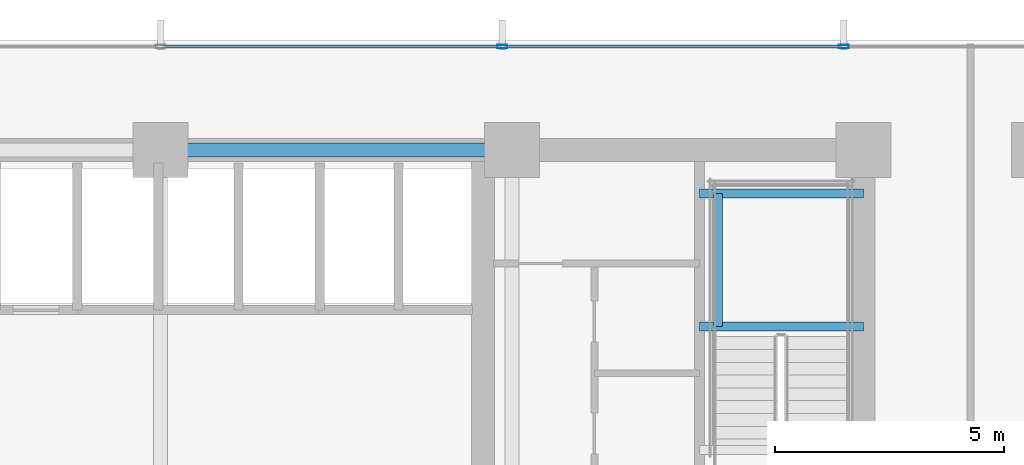
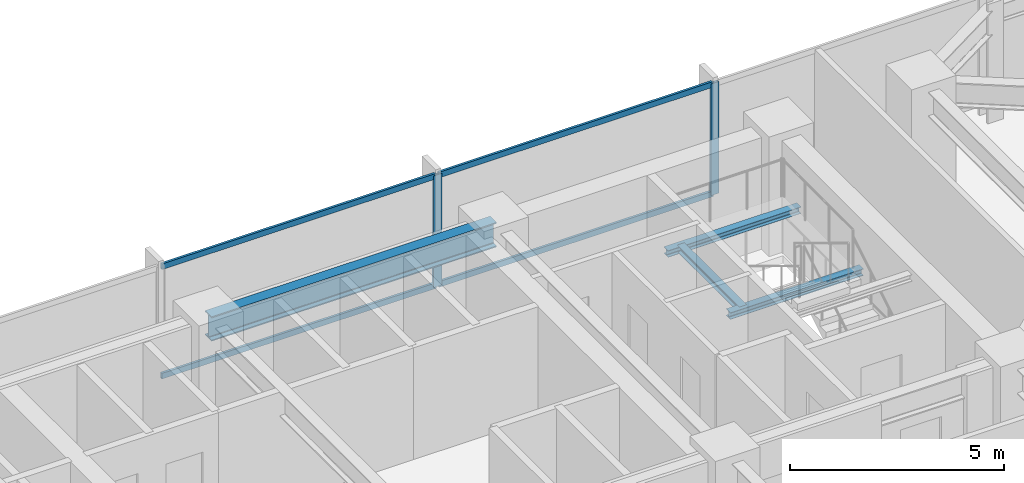
# One storey, part 19 of 33: 6 members, 4 beams, 1 element without a shape of its own.
"""IFC4 building model written with IfcOpenShell, lengths in metres."""

from ifc_helpers import new_model, si_unit, direction, frame, origin, origin_2d, place, context, subcontext, project, spatial, hollow_rectangle, i_section, extrude, material, material_profile, profile_set, type_object, element, aggregate, save


model = new_model("IFC4")

# Units and contexts
model_context = context("Model", 3, precision=1e-05, world=origin(), true_north=direction((0.0, 1.0)))
body_context = subcontext(model_context, "Body", "Model", "MODEL_VIEW")
ifc_project = project(units=[si_unit("LENGTHUNIT", "METRE"), si_unit("AREAUNIT", "SQUARE_METRE"), si_unit("VOLUMEUNIT", "CUBIC_METRE"), si_unit("PLANEANGLEUNIT", "RADIAN"), si_unit("MASSUNIT", "GRAM", prefix="KILO")], contexts=[model_context])

# Site, building, storey
site_placement = place(None, origin())
site = spatial("IfcSite", under=ifc_project, at=site_placement, CompositionType="ELEMENT")
building_placement = place(site_placement, origin())
building = spatial("IfcBuilding", under=site, at=building_placement, Name="Yelkora Congress Tower", CompositionType="ELEMENT")
storey_placement = place(building_placement, frame((0.0, 0.0, 54.199951171875)))
storey = spatial("IfcBuildingStorey", under=building, at=storey_placement, Name="L13", CompositionType="ELEMENT", Elevation=54.199951171875)

# Beams
ifc_material_1 = material(Name="Steel S355J2", Category="steel")
ifc_material_profile_1 = material_profile(ifc_material_1, i_section(OverallWidth=0.300048828125, OverallDepth=0.699951171875, WebThickness=0.01708984375, FlangeThickness=0.031982421875, FilletRadius=0.027099609375, at=origin_2d()), Name="HEB 700")
ifc_profile_set_1 = profile_set([ifc_material_profile_1], Name="Steel S355J2")
beam_type_1 = type_object("IfcBeamType", Name="BM-GIRD-HEB700", PredefinedType="BEAM", material=ifc_profile_set_1)
beam_1_placement = place(storey_placement, frame((38.39990234375, 46.199951171875, 2.830078125), z_axis=(1.0, 0.0, 0.0), x_axis=(0.0, 1.0, 0.0)))
element("IfcBeam", 1, at=beam_1_placement, inside=storey, type_object=beam_type_1, Name="L13 Core North Girder 4", PredefinedType="BEAM", context=body_context, shape_type="SweptSolid", body=[
    extrude(i_section(OverallWidth=0.300048828125, OverallDepth=0.699951171875, WebThickness=0.01708984375, FlangeThickness=0.031982421875, FilletRadius=0.027099609375, at=origin_2d()), origin(), (0.0, 0.0, 1.0), 7.68017578125),
])
ifc_material_profile_2 = material_profile(ifc_material_1, i_section(OverallWidth=0.199951171875, OverallDepth=0.18994140625, WebThickness=0.006591796875, FlangeThickness=0.010009765625, FilletRadius=0.01806640625, at=origin_2d()), Name="HEA 200")
ifc_profile_set_2 = profile_set([ifc_material_profile_2], Name="Steel S355J2")
beam_type_2 = type_object("IfcBeamType", Name="BM-LAND-HEA200", PredefinedType="BEAM", material=ifc_profile_set_2)
for number, where, z_axis, x_axis, name in (
    (2, (50.179931640625, 42.340087890625, 1.384765625), (1.0, 0.0, 0.0), (0.0, 1.0, 0.0), "ST-02 L13 Landing Header Beam 1S"),
    (3, (50.179931640625, 45.25, 1.384765625), (1.0, 0.0, 0.0), (0.0, 1.0, 0.0), "ST-02 L13 Landing Header Beam 1N"),
):
    element("IfcBeam", number, at=place(storey_placement, frame(where, z_axis=z_axis, x_axis=x_axis)), inside=storey, type_object=beam_type_2, Name=name, PredefinedType="BEAM", context=body_context, shape_type="SweptSolid", body=[
        extrude(i_section(OverallWidth=0.199951171875, OverallDepth=0.18994140625, WebThickness=0.006591796875, FlangeThickness=0.010009765625, FilletRadius=0.01806640625, at=origin_2d()), origin(), (0.0, 0.0, 1.0), 3.580078125),
    ])
beam_2_placement = place(storey_placement, frame((50.580078125, 42.340087890625, 1.384765625), z_axis=(0.0, 1.0, 0.0), x_axis=(-1.0, 0.0, 0.0)))
element("IfcBeam", 4, at=beam_2_placement, inside=storey, type_object=beam_type_2, Name="ST-02 L13 Landing Trimmer Beam 1M", PredefinedType="BEAM", context=body_context, shape_type="SweptSolid", body=[
    extrude(i_section(OverallWidth=0.199951171875, OverallDepth=0.18994140625, WebThickness=0.006591796875, FlangeThickness=0.010009765625, FilletRadius=0.01806640625, at=origin_2d()), origin(), (0.0, 0.0, 1.0), 2.909912109375),
])

# Curtain wall, members
ifc_material_2 = material(Name="Anodised aluminium and insulated glass", Category="aluminium")
curtain_wall_type = type_object("IfcCurtainWallType", Name="CW-SYS-B1", PredefinedType="NOTDEFINED", material=ifc_material_2)
curtain_wall_placement = place(storey_placement, origin())
curtain_wall = element("IfcCurtainWall", 5, at=curtain_wall_placement, inside=storey, type_object=curtain_wall_type, Name="L13 Unitised Curtain Wall 10", PredefinedType="NOTDEFINED")
ifc_material_3 = material(Name="Anodised aluminium 6063-T6", Category="aluminium")
ifc_material_profile_3 = material_profile(ifc_material_3, hollow_rectangle(XDim=0.074951171875, YDim=0.219970703125, WallThickness=0.0048828125, at=origin_2d()), Name="ALU 75x220x5")
ifc_profile_set_3 = profile_set([ifc_material_profile_3], Name="Anodised aluminium 6063-T6")
member_type_1 = type_object("IfcMemberType", Name="MEM-ML-B1", PredefinedType="MULLION", material=ifc_profile_set_3)
member_1_placement = place(storey_placement, frame((45.864990234375, 48.4599609375, 0.0), z_axis=(0.0, 0.0, 1.0), x_axis=(0.0, 1.0, 0.0)))
member_1 = element("IfcMember", 6, at=member_1_placement, type_object=member_type_1, Name="CW-B1 mullion 6", PredefinedType="MULLION", context=body_context, shape_type="SweptSolid", body=[
    extrude(hollow_rectangle(XDim=0.074951171875, YDim=0.219970703125, WallThickness=0.0048828125, at=origin_2d()), origin(), (0.0, 0.0, 1.0), 3.179931640625),
])
member_2_placement = place(storey_placement, frame((53.330078125, 48.4599609375, 0.0), z_axis=(0.0, 0.0, 1.0), x_axis=(0.0, 1.0, 0.0)))
member_2 = element("IfcMember", 7, at=member_2_placement, type_object=member_type_1, Name="CW-B1 mullion 7", PredefinedType="MULLION", context=body_context, shape_type="SweptSolid", body=[
    extrude(hollow_rectangle(XDim=0.074951171875, YDim=0.219970703125, WallThickness=0.0048828125, at=origin_2d()), origin(), (0.0, 0.0, 1.0), 3.179931640625),
])
ifc_material_profile_4 = material_profile(ifc_material_3, hollow_rectangle(XDim=0.06494140625, YDim=0.159912109375, WallThickness=0.00390625, at=origin_2d()), Name="ALU 65x160x4")
ifc_profile_set_4 = profile_set([ifc_material_profile_4], Name="Anodised aluminium 6063-T6")
member_type_2 = type_object("IfcMemberType", Name="MEM-TR-B1", PredefinedType="USERDEFINED", material=ifc_profile_set_4)
member_3_placement = place(storey_placement, frame((38.4375, 48.4599609375, 0.032470703125), z_axis=(1.0, 0.0, 0.0), x_axis=(0.0, 1.0, 0.0)))
member_3 = element("IfcMember", 8, at=member_3_placement, type_object=member_type_2, Name="CW-B1 transom 5.1", ObjectType="TRANSOM", PredefinedType="USERDEFINED", context=body_context, shape_type="SweptSolid", body=[
    extrude(hollow_rectangle(XDim=0.06494140625, YDim=0.159912109375, WallThickness=0.00390625, at=origin_2d()), origin(), (0.0, 0.0, 1.0), 7.389892578125),
])
member_4_placement = place(storey_placement, frame((38.4375, 48.4599609375, 3.1474609375), z_axis=(1.0, 0.0, 0.0), x_axis=(0.0, 1.0, 0.0)))
member_4 = element("IfcMember", 9, at=member_4_placement, type_object=member_type_2, Name="CW-B1 transom 5.2", ObjectType="TRANSOM", PredefinedType="USERDEFINED", context=body_context, shape_type="SweptSolid", body=[
    extrude(hollow_rectangle(XDim=0.06494140625, YDim=0.159912109375, WallThickness=0.00390625, at=origin_2d()), origin(), (0.0, 0.0, 1.0), 7.389892578125),
])
member_5_placement = place(storey_placement, frame((45.902587890625, 48.4599609375, 0.032470703125), z_axis=(1.0, 0.0, 0.0), x_axis=(0.0, 1.0, 0.0)))
member_5 = element("IfcMember", 10, at=member_5_placement, type_object=member_type_2, Name="CW-B1 transom 6.1", ObjectType="TRANSOM", PredefinedType="USERDEFINED", context=body_context, shape_type="SweptSolid", body=[
    extrude(hollow_rectangle(XDim=0.06494140625, YDim=0.159912109375, WallThickness=0.00390625, at=origin_2d()), origin(), (0.0, 0.0, 1.0), 7.389892578125),
])
member_6_placement = place(storey_placement, frame((45.902587890625, 48.4599609375, 3.1474609375), z_axis=(1.0, 0.0, 0.0), x_axis=(0.0, 1.0, 0.0)))
member_6 = element("IfcMember", 11, at=member_6_placement, type_object=member_type_2, Name="CW-B1 transom 6.2", ObjectType="TRANSOM", PredefinedType="USERDEFINED", context=body_context, shape_type="SweptSolid", body=[
    extrude(hollow_rectangle(XDim=0.06494140625, YDim=0.159912109375, WallThickness=0.00390625, at=origin_2d()), origin(), (0.0, 0.0, 1.0), 7.389892578125),
])
aggregate(curtain_wall, [member_1, member_2, member_3, member_4, member_5, member_6])

save(model, "model.ifc")
